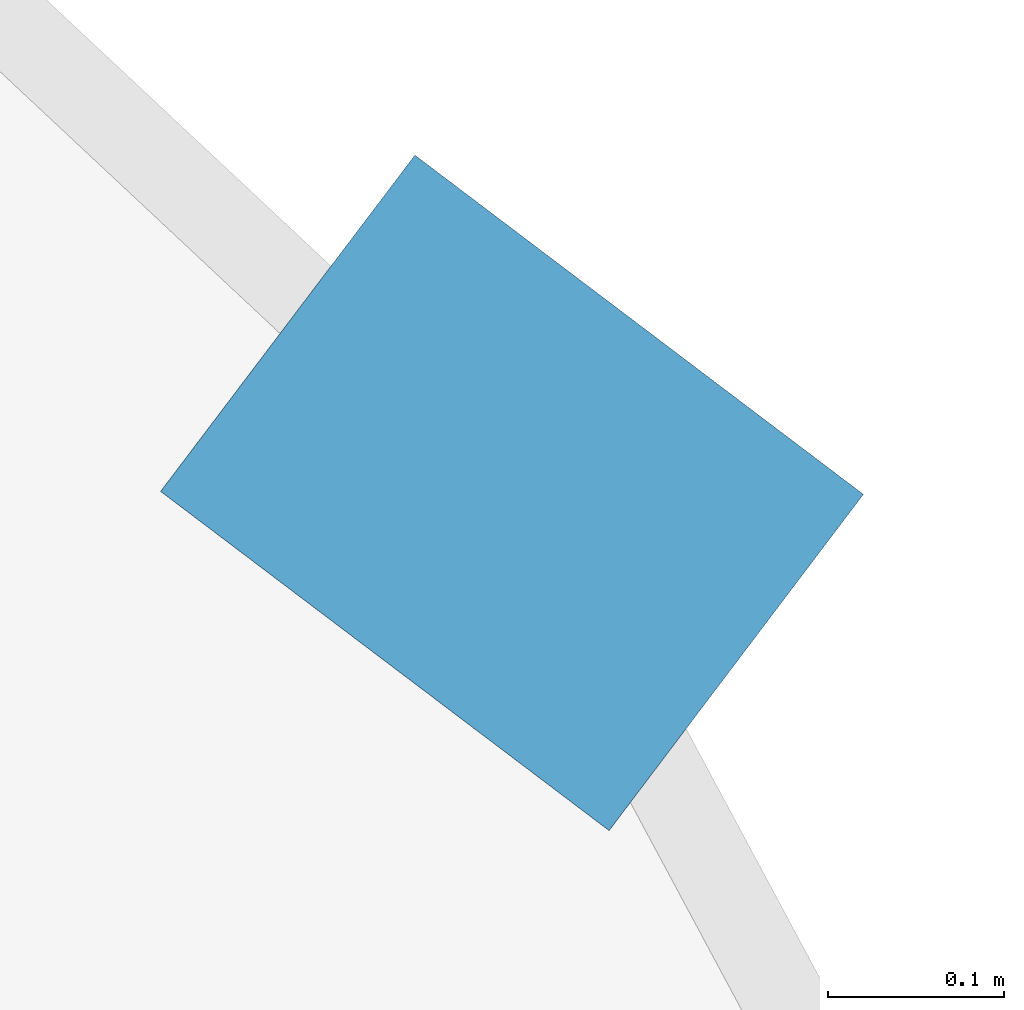
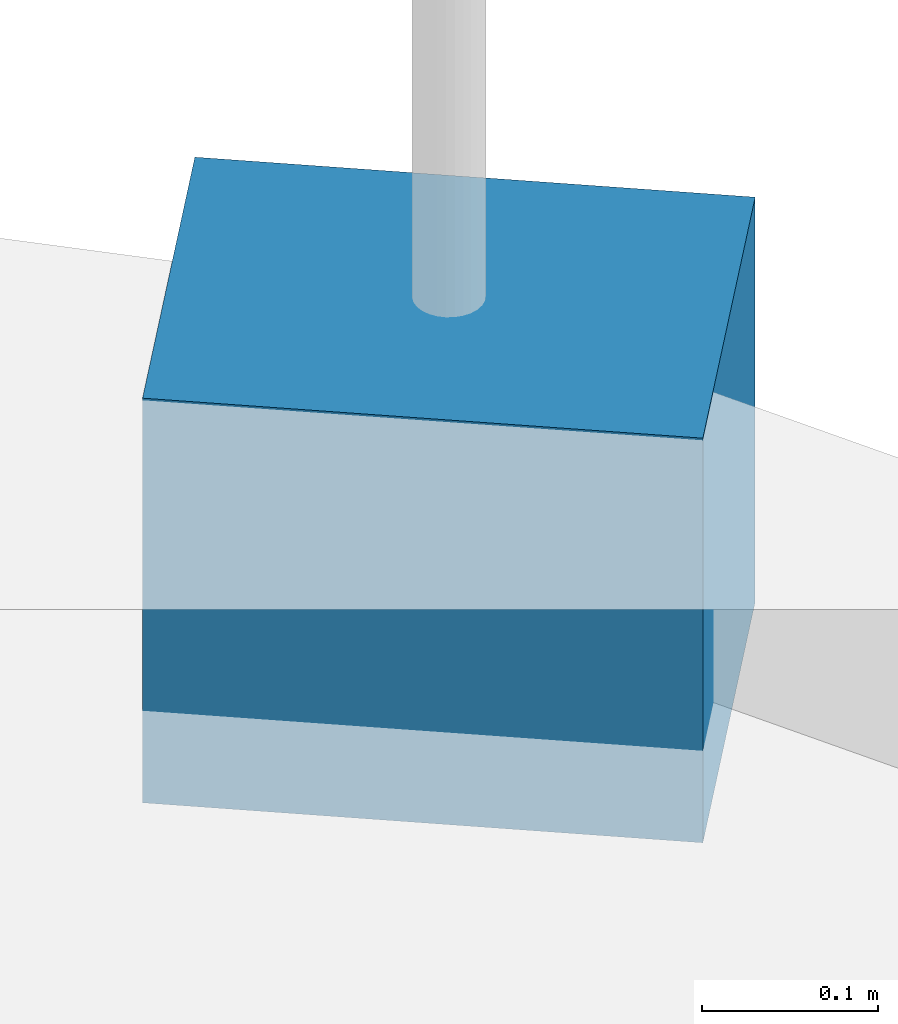
# One storey, part 23 of 25: 1 discrete accessory.
"""IFC4 building model written with IfcOpenShell, lengths in metres."""

from ifc_helpers import new_model, si_unit, direction, frame, origin, origin_2d, place, context, subcontext, project, spatial, rectangle, extrude, material, type_object, element, save


model = new_model("IFC4")

# Units and contexts
model_context = context("Model", 3, precision=1e-05, world=origin(), true_north=direction((0.0, 1.0)))
body_context = subcontext(model_context, "Body", "Model", "MODEL_VIEW")
ifc_project = project(units=[si_unit("LENGTHUNIT", "METRE"), si_unit("AREAUNIT", "SQUARE_METRE"), si_unit("VOLUMEUNIT", "CUBIC_METRE"), si_unit("PLANEANGLEUNIT", "RADIAN"), si_unit("MASSUNIT", "GRAM", prefix="KILO")], contexts=[model_context])

# Site, building, storey
site_placement = place(None, origin())
site = spatial("IfcSite", under=ifc_project, at=site_placement, CompositionType="ELEMENT")
building_placement = place(site_placement, origin())
building = spatial("IfcBuilding", under=site, at=building_placement, Name="Solvirekh Grand Hotel", CompositionType="ELEMENT")
storey_placement = place(building_placement, frame((0.0, 0.0, 124.199951171875)))
storey = spatial("IfcBuildingStorey", under=building, at=storey_placement, Name="L31", CompositionType="ELEMENT", Elevation=124.199951171875)

# Discrete accessory
ifc_material = material(Name="Steel S355", Category="steel")
discrete_accessory_type = type_object("IfcDiscreteAccessoryType", Name="Acc_ThermalBracket", PredefinedType="BRACKET", material=ifc_material)
discrete_accessory_placement = place(storey_placement, frame((18.5048828125, 12.424072265625, -0.27978515625), z_axis=(0.0, 0.0, 1.0), x_axis=(0.797583928825, -0.603207987745, 0.0)))
element("IfcDiscreteAccessory", 1, at=discrete_accessory_placement, inside=storey, type_object=discrete_accessory_type, Name="L31 balcony thermal-break bracket", PredefinedType="BRACKET", context=body_context, shape_type="SweptSolid", body=[
    extrude(rectangle(XDim=0.320068359375, YDim=0.239990234375, at=origin_2d()), origin(), (0.0, 0.0, 1.0), 0.280029296875),
])

save(model, "model.ifc")
